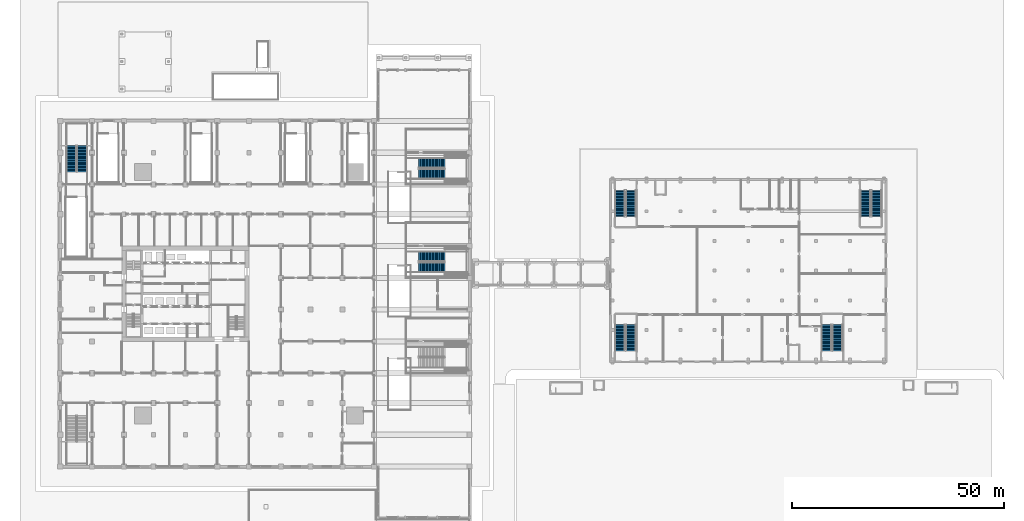
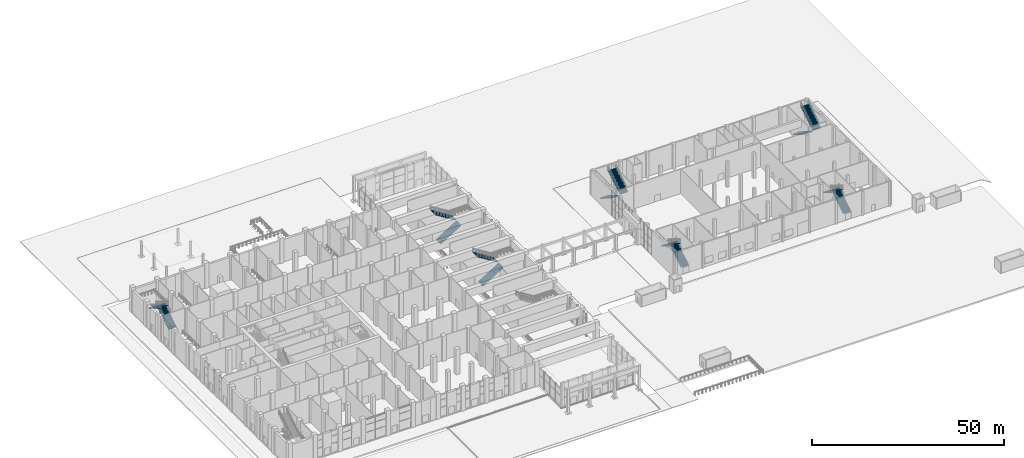
# One storey, part 39 of 57: 14 stair flights, 7 elements without a shape of their own.
"""IFC4 building model written with IfcOpenShell, lengths in metres."""

from ifc_helpers import new_model, si_unit, direction, frame, origin, place, context, subcontext, project, spatial, polyline, outline, extrude, material, type_object, element, aggregate, save


model = new_model("IFC4")

# Units and contexts
model_context = context("Model", 3, precision=1e-05, world=origin(), true_north=direction((0.0, 1.0)))
body_context = subcontext(model_context, "Body", "Model", "MODEL_VIEW")
ifc_project = project(units=[si_unit("LENGTHUNIT", "METRE"), si_unit("AREAUNIT", "SQUARE_METRE"), si_unit("VOLUMEUNIT", "CUBIC_METRE"), si_unit("PLANEANGLEUNIT", "RADIAN"), si_unit("MASSUNIT", "GRAM", prefix="KILO")], contexts=[model_context])

# Site, building, storey
site_placement = place(None, origin())
site = spatial("IfcSite", under=ifc_project, at=site_placement, CompositionType="ELEMENT")
building_placement = place(site_placement, origin())
building = spatial("IfcBuilding", under=site, at=building_placement, Name="Tamorin Gate", CompositionType="ELEMENT")
storey_placement = place(building_placement, origin())
storey = spatial("IfcBuildingStorey", under=building, at=storey_placement, Name="L00", CompositionType="ELEMENT", Elevation=0.0)

# Stair, stair flights
ifc_material_1 = material(Name="Concrete C40/50", Category="concrete")
stair_type_1 = type_object("IfcStairType", Name="Museum exit stair 2400 C40/50", PredefinedType="HALF_TURN_STAIR", material=ifc_material_1)
stair_1_placement = place(storey_placement, origin())
stair_1 = element("IfcStair", 1, at=stair_1_placement, inside=storey, type_object=stair_type_1, Name="L00 PS6", PredefinedType="HALF_TURN_STAIR")
stair_flight_type_1 = type_object("IfcStairFlightType", Name="Museum exit stair flight 2400 C40/50", PredefinedType="STRAIGHT", material=ifc_material_1)
stair_flight_1_placement = place(storey_placement, frame((147.5, 95.60009765625, 0.0), z_axis=(0.0, 0.0, 1.0), x_axis=(0.0, -1.0, 0.0)))
stair_flight_1 = element("IfcStairFlight", 2, at=stair_flight_1_placement, type_object=stair_flight_type_1, Name="PS6 flight 1", NumberOfRisers=23, NumberOfTreads=22, PredefinedType="STRAIGHT", RiserHeight=0.173913043, TreadLength=0.28, context=body_context, shape_type="SweptSolid", body=[
    extrude(outline(polyline([(-0.00048828125, 0.0), (-0.00048828125, 0.173828125), (0.280029296875, 0.173828125), (0.280029296875, 0.347900390625), (0.56005859375, 0.347900390625), (0.56005859375, 0.521728515625), (0.840087890625, 0.521728515625), (0.840087890625, 0.695556640625), (1.1201171875, 0.695556640625), (1.1201171875, 0.86962890625), (1.39990234375, 0.86962890625), (1.39990234375, 1.04345703125), (1.679931640625, 1.04345703125), (1.679931640625, 1.21728515625), (1.9599609375, 1.21728515625), (1.9599609375, 1.391357421875), (2.239990234375, 1.391357421875), (2.239990234375, 1.565185546875), (2.52001953125, 1.565185546875), (2.52001953125, 1.739013671875), (2.800048828125, 1.739013671875), (2.800048828125, 1.9130859375), (3.080078125, 1.9130859375), (3.080078125, 2.0869140625), (3.360107421875, 2.0869140625), (3.360107421875, 2.260986328125), (3.639892578125, 2.260986328125), (3.639892578125, 2.434814453125), (3.919921875, 2.434814453125), (3.919921875, 2.608642578125), (4.199951171875, 2.608642578125), (4.199951171875, 2.78271484375), (4.47998046875, 2.78271484375), (4.47998046875, 2.95654296875), (4.760009765625, 2.95654296875), (4.760009765625, 3.13037109375), (5.0400390625, 3.13037109375), (5.0400390625, 3.304443359375), (5.320068359375, 3.304443359375), (5.320068359375, 3.478271484375), (5.60009765625, 3.478271484375), (5.60009765625, 3.652099609375), (5.8798828125, 3.652099609375), (5.8798828125, 3.826171875), (6.159912109375, 3.826171875), (6.159912109375, 4.0), (6.160400390625, 4.0), (6.160400390625, 3.649658203125), (6.159912109375, 3.649658203125), (0.2841796875, 0.0), (-0.00048828125, 0.0)])), frame((0.0, 1.199951171875, 0.0), z_axis=(0.0, -1.0, 0.0), x_axis=(1.0, 0.0, 0.0)), (0.0, 0.0, 1.0), 2.39990234375),
])
stair_flight_2_placement = place(storey_placement, frame((150.050048828125, 89.43994140625, 4.0), z_axis=(0.0, 0.0, 1.0), x_axis=(0.0, 1.0, 0.0)))
stair_flight_2 = element("IfcStairFlight", 3, at=stair_flight_2_placement, type_object=stair_flight_type_1, Name="PS6 flight 2", NumberOfRisers=23, NumberOfTreads=22, PredefinedType="STRAIGHT", RiserHeight=0.173913043, TreadLength=0.28, context=body_context, shape_type="SweptSolid", body=[
    extrude(outline(polyline([(-0.00048828125, 0.0), (-0.00048828125, 0.173828125), (0.280029296875, 0.173828125), (0.280029296875, 0.347900390625), (0.56005859375, 0.347900390625), (0.56005859375, 0.521728515625), (0.840087890625, 0.521728515625), (0.840087890625, 0.695556640625), (1.1201171875, 0.695556640625), (1.1201171875, 0.86962890625), (1.39990234375, 0.86962890625), (1.39990234375, 1.04345703125), (1.679931640625, 1.04345703125), (1.679931640625, 1.21728515625), (1.9599609375, 1.21728515625), (1.9599609375, 1.391357421875), (2.239990234375, 1.391357421875), (2.239990234375, 1.565185546875), (2.52001953125, 1.565185546875), (2.52001953125, 1.739013671875), (2.800048828125, 1.739013671875), (2.800048828125, 1.9130859375), (3.080078125, 1.9130859375), (3.080078125, 2.0869140625), (3.360107421875, 2.0869140625), (3.360107421875, 2.260986328125), (3.639892578125, 2.260986328125), (3.639892578125, 2.434814453125), (3.919921875, 2.434814453125), (3.919921875, 2.608642578125), (4.199951171875, 2.608642578125), (4.199951171875, 2.78271484375), (4.47998046875, 2.78271484375), (4.47998046875, 2.95654296875), (4.760009765625, 2.95654296875), (4.760009765625, 3.13037109375), (5.0400390625, 3.13037109375), (5.0400390625, 3.304443359375), (5.320068359375, 3.304443359375), (5.320068359375, 3.478271484375), (5.60009765625, 3.478271484375), (5.60009765625, 3.652099609375), (5.8798828125, 3.652099609375), (5.8798828125, 3.826171875), (6.159912109375, 3.826171875), (6.159912109375, 4.0), (6.160400390625, 4.0), (6.160400390625, 3.649658203125), (6.159912109375, 3.649658203125), (0.2841796875, 0.0), (-0.00048828125, 0.0)])), frame((0.0, 1.199951171875, 0.0), z_axis=(0.0, -1.0, 0.0), x_axis=(1.0, 0.0, 0.0)), (0.0, 0.0, 1.0), 2.39990234375),
])
aggregate(stair_1, [stair_flight_1, stair_flight_2])

stair_2_placement = place(storey_placement, origin())
stair_2 = element("IfcStair", 4, at=stair_2_placement, inside=storey, type_object=stair_type_1, Name="L00 PS7", PredefinedType="HALF_TURN_STAIR")
stair_flight_3_placement = place(storey_placement, frame((198.75, 57.800048828125, 0.0), z_axis=(0.0, 0.0, 1.0), x_axis=(0.0, 1.0, 0.0)))
stair_flight_3 = element("IfcStairFlight", 5, at=stair_flight_3_placement, type_object=stair_flight_type_1, Name="PS7 flight 1", NumberOfRisers=23, NumberOfTreads=22, PredefinedType="STRAIGHT", RiserHeight=0.173913043, TreadLength=0.28, context=body_context, shape_type="SweptSolid", body=[
    extrude(outline(polyline([(-0.00048828125, 0.0), (-0.00048828125, 0.173828125), (0.280029296875, 0.173828125), (0.280029296875, 0.347900390625), (0.56005859375, 0.347900390625), (0.56005859375, 0.521728515625), (0.840087890625, 0.521728515625), (0.840087890625, 0.695556640625), (1.1201171875, 0.695556640625), (1.1201171875, 0.86962890625), (1.39990234375, 0.86962890625), (1.39990234375, 1.04345703125), (1.679931640625, 1.04345703125), (1.679931640625, 1.21728515625), (1.9599609375, 1.21728515625), (1.9599609375, 1.391357421875), (2.239990234375, 1.391357421875), (2.239990234375, 1.565185546875), (2.52001953125, 1.565185546875), (2.52001953125, 1.739013671875), (2.800048828125, 1.739013671875), (2.800048828125, 1.9130859375), (3.080078125, 1.9130859375), (3.080078125, 2.0869140625), (3.360107421875, 2.0869140625), (3.360107421875, 2.260986328125), (3.639892578125, 2.260986328125), (3.639892578125, 2.434814453125), (3.919921875, 2.434814453125), (3.919921875, 2.608642578125), (4.199951171875, 2.608642578125), (4.199951171875, 2.78271484375), (4.47998046875, 2.78271484375), (4.47998046875, 2.95654296875), (4.760009765625, 2.95654296875), (4.760009765625, 3.13037109375), (5.0400390625, 3.13037109375), (5.0400390625, 3.304443359375), (5.320068359375, 3.304443359375), (5.320068359375, 3.478271484375), (5.60009765625, 3.478271484375), (5.60009765625, 3.652099609375), (5.8798828125, 3.652099609375), (5.8798828125, 3.826171875), (6.159912109375, 3.826171875), (6.159912109375, 4.0), (6.160400390625, 4.0), (6.160400390625, 3.649658203125), (6.159912109375, 3.649658203125), (0.2841796875, 0.0), (-0.00048828125, 0.0)])), frame((0.0, 1.199951171875, 0.0), z_axis=(0.0, -1.0, 0.0), x_axis=(1.0, 0.0, 0.0)), (0.0, 0.0, 1.0), 2.39990234375),
])
stair_flight_4_placement = place(storey_placement, frame((196.199951171875, 63.9599609375, 4.0), z_axis=(0.0, 0.0, 1.0), x_axis=(0.0, -1.0, 0.0)))
stair_flight_4 = element("IfcStairFlight", 6, at=stair_flight_4_placement, type_object=stair_flight_type_1, Name="PS7 flight 2", NumberOfRisers=23, NumberOfTreads=22, PredefinedType="STRAIGHT", RiserHeight=0.173913043, TreadLength=0.28, context=body_context, shape_type="SweptSolid", body=[
    extrude(outline(polyline([(-0.00048828125, 0.0), (-0.00048828125, 0.173828125), (0.280029296875, 0.173828125), (0.280029296875, 0.347900390625), (0.56005859375, 0.347900390625), (0.56005859375, 0.521728515625), (0.840087890625, 0.521728515625), (0.840087890625, 0.695556640625), (1.1201171875, 0.695556640625), (1.1201171875, 0.86962890625), (1.39990234375, 0.86962890625), (1.39990234375, 1.04345703125), (1.679931640625, 1.04345703125), (1.679931640625, 1.21728515625), (1.9599609375, 1.21728515625), (1.9599609375, 1.391357421875), (2.239990234375, 1.391357421875), (2.239990234375, 1.565185546875), (2.52001953125, 1.565185546875), (2.52001953125, 1.739013671875), (2.800048828125, 1.739013671875), (2.800048828125, 1.9130859375), (3.080078125, 1.9130859375), (3.080078125, 2.0869140625), (3.360107421875, 2.0869140625), (3.360107421875, 2.260986328125), (3.639892578125, 2.260986328125), (3.639892578125, 2.434814453125), (3.919921875, 2.434814453125), (3.919921875, 2.608642578125), (4.199951171875, 2.608642578125), (4.199951171875, 2.78271484375), (4.47998046875, 2.78271484375), (4.47998046875, 2.95654296875), (4.760009765625, 2.95654296875), (4.760009765625, 3.13037109375), (5.0400390625, 3.13037109375), (5.0400390625, 3.304443359375), (5.320068359375, 3.304443359375), (5.320068359375, 3.478271484375), (5.60009765625, 3.478271484375), (5.60009765625, 3.652099609375), (5.8798828125, 3.652099609375), (5.8798828125, 3.826171875), (6.159912109375, 3.826171875), (6.159912109375, 4.0), (6.160400390625, 4.0), (6.160400390625, 3.649658203125), (6.159912109375, 3.649658203125), (0.2841796875, 0.0), (-0.00048828125, 0.0)])), frame((0.0, 1.199951171875, 0.0), z_axis=(0.0, -1.0, 0.0), x_axis=(1.0, 0.0, 0.0)), (0.0, 0.0, 1.0), 2.39990234375),
])
aggregate(stair_2, [stair_flight_3, stair_flight_4])

stair_3_placement = place(storey_placement, origin())
stair_3 = element("IfcStair", 7, at=stair_3_placement, inside=storey, type_object=stair_type_1, Name="L00 PS8", PredefinedType="HALF_TURN_STAIR")
stair_flight_5_placement = place(storey_placement, frame((150.050048828125, 57.800048828125, 0.0), z_axis=(0.0, 0.0, 1.0), x_axis=(0.0, 1.0, 0.0)))
stair_flight_5 = element("IfcStairFlight", 8, at=stair_flight_5_placement, type_object=stair_flight_type_1, Name="PS8 flight 1", NumberOfRisers=23, NumberOfTreads=22, PredefinedType="STRAIGHT", RiserHeight=0.173913043, TreadLength=0.28, context=body_context, shape_type="SweptSolid", body=[
    extrude(outline(polyline([(-0.00048828125, 0.0), (-0.00048828125, 0.173828125), (0.280029296875, 0.173828125), (0.280029296875, 0.347900390625), (0.56005859375, 0.347900390625), (0.56005859375, 0.521728515625), (0.840087890625, 0.521728515625), (0.840087890625, 0.695556640625), (1.1201171875, 0.695556640625), (1.1201171875, 0.86962890625), (1.39990234375, 0.86962890625), (1.39990234375, 1.04345703125), (1.679931640625, 1.04345703125), (1.679931640625, 1.21728515625), (1.9599609375, 1.21728515625), (1.9599609375, 1.391357421875), (2.239990234375, 1.391357421875), (2.239990234375, 1.565185546875), (2.52001953125, 1.565185546875), (2.52001953125, 1.739013671875), (2.800048828125, 1.739013671875), (2.800048828125, 1.9130859375), (3.080078125, 1.9130859375), (3.080078125, 2.0869140625), (3.360107421875, 2.0869140625), (3.360107421875, 2.260986328125), (3.639892578125, 2.260986328125), (3.639892578125, 2.434814453125), (3.919921875, 2.434814453125), (3.919921875, 2.608642578125), (4.199951171875, 2.608642578125), (4.199951171875, 2.78271484375), (4.47998046875, 2.78271484375), (4.47998046875, 2.95654296875), (4.760009765625, 2.95654296875), (4.760009765625, 3.13037109375), (5.0400390625, 3.13037109375), (5.0400390625, 3.304443359375), (5.320068359375, 3.304443359375), (5.320068359375, 3.478271484375), (5.60009765625, 3.478271484375), (5.60009765625, 3.652099609375), (5.8798828125, 3.652099609375), (5.8798828125, 3.826171875), (6.159912109375, 3.826171875), (6.159912109375, 4.0), (6.160400390625, 4.0), (6.160400390625, 3.649658203125), (6.159912109375, 3.649658203125), (0.2841796875, 0.0), (-0.00048828125, 0.0)])), frame((0.0, 1.199951171875, 0.0), z_axis=(0.0, -1.0, 0.0), x_axis=(1.0, 0.0, 0.0)), (0.0, 0.0, 1.0), 2.39990234375),
])
stair_flight_6_placement = place(storey_placement, frame((147.5, 63.9599609375, 4.0), z_axis=(0.0, 0.0, 1.0), x_axis=(0.0, -1.0, 0.0)))
stair_flight_6 = element("IfcStairFlight", 9, at=stair_flight_6_placement, type_object=stair_flight_type_1, Name="PS8 flight 2", NumberOfRisers=23, NumberOfTreads=22, PredefinedType="STRAIGHT", RiserHeight=0.173913043, TreadLength=0.28, context=body_context, shape_type="SweptSolid", body=[
    extrude(outline(polyline([(-0.00048828125, 0.0), (-0.00048828125, 0.173828125), (0.280029296875, 0.173828125), (0.280029296875, 0.347900390625), (0.56005859375, 0.347900390625), (0.56005859375, 0.521728515625), (0.840087890625, 0.521728515625), (0.840087890625, 0.695556640625), (1.1201171875, 0.695556640625), (1.1201171875, 0.86962890625), (1.39990234375, 0.86962890625), (1.39990234375, 1.04345703125), (1.679931640625, 1.04345703125), (1.679931640625, 1.21728515625), (1.9599609375, 1.21728515625), (1.9599609375, 1.391357421875), (2.239990234375, 1.391357421875), (2.239990234375, 1.565185546875), (2.52001953125, 1.565185546875), (2.52001953125, 1.739013671875), (2.800048828125, 1.739013671875), (2.800048828125, 1.9130859375), (3.080078125, 1.9130859375), (3.080078125, 2.0869140625), (3.360107421875, 2.0869140625), (3.360107421875, 2.260986328125), (3.639892578125, 2.260986328125), (3.639892578125, 2.434814453125), (3.919921875, 2.434814453125), (3.919921875, 2.608642578125), (4.199951171875, 2.608642578125), (4.199951171875, 2.78271484375), (4.47998046875, 2.78271484375), (4.47998046875, 2.95654296875), (4.760009765625, 2.95654296875), (4.760009765625, 3.13037109375), (5.0400390625, 3.13037109375), (5.0400390625, 3.304443359375), (5.320068359375, 3.304443359375), (5.320068359375, 3.478271484375), (5.60009765625, 3.478271484375), (5.60009765625, 3.652099609375), (5.8798828125, 3.652099609375), (5.8798828125, 3.826171875), (6.159912109375, 3.826171875), (6.159912109375, 4.0), (6.160400390625, 4.0), (6.160400390625, 3.649658203125), (6.159912109375, 3.649658203125), (0.2841796875, 0.0), (-0.00048828125, 0.0)])), frame((0.0, 1.199951171875, 0.0), z_axis=(0.0, -1.0, 0.0), x_axis=(1.0, 0.0, 0.0)), (0.0, 0.0, 1.0), 2.39990234375),
])
aggregate(stair_3, [stair_flight_5, stair_flight_6])

stair_4_placement = place(storey_placement, origin())
stair_4 = element("IfcStair", 10, at=stair_4_placement, inside=storey, type_object=stair_type_1, Name="L00 PS9", PredefinedType="HALF_TURN_STAIR")
stair_flight_7_placement = place(storey_placement, frame((205.35009765625, 95.60009765625, 0.0), z_axis=(0.0, 0.0, 1.0), x_axis=(0.0, -1.0, 0.0)))
stair_flight_7 = element("IfcStairFlight", 11, at=stair_flight_7_placement, type_object=stair_flight_type_1, Name="PS9 flight 1", NumberOfRisers=23, NumberOfTreads=22, PredefinedType="STRAIGHT", RiserHeight=0.173913043, TreadLength=0.28, context=body_context, shape_type="SweptSolid", body=[
    extrude(outline(polyline([(-0.00048828125, 0.0), (-0.00048828125, 0.173828125), (0.280029296875, 0.173828125), (0.280029296875, 0.347900390625), (0.56005859375, 0.347900390625), (0.56005859375, 0.521728515625), (0.840087890625, 0.521728515625), (0.840087890625, 0.695556640625), (1.1201171875, 0.695556640625), (1.1201171875, 0.86962890625), (1.39990234375, 0.86962890625), (1.39990234375, 1.04345703125), (1.679931640625, 1.04345703125), (1.679931640625, 1.21728515625), (1.9599609375, 1.21728515625), (1.9599609375, 1.391357421875), (2.239990234375, 1.391357421875), (2.239990234375, 1.565185546875), (2.52001953125, 1.565185546875), (2.52001953125, 1.739013671875), (2.800048828125, 1.739013671875), (2.800048828125, 1.9130859375), (3.080078125, 1.9130859375), (3.080078125, 2.0869140625), (3.360107421875, 2.0869140625), (3.360107421875, 2.260986328125), (3.639892578125, 2.260986328125), (3.639892578125, 2.434814453125), (3.919921875, 2.434814453125), (3.919921875, 2.608642578125), (4.199951171875, 2.608642578125), (4.199951171875, 2.78271484375), (4.47998046875, 2.78271484375), (4.47998046875, 2.95654296875), (4.760009765625, 2.95654296875), (4.760009765625, 3.13037109375), (5.0400390625, 3.13037109375), (5.0400390625, 3.304443359375), (5.320068359375, 3.304443359375), (5.320068359375, 3.478271484375), (5.60009765625, 3.478271484375), (5.60009765625, 3.652099609375), (5.8798828125, 3.652099609375), (5.8798828125, 3.826171875), (6.159912109375, 3.826171875), (6.159912109375, 4.0), (6.160400390625, 4.0), (6.160400390625, 3.649658203125), (6.159912109375, 3.649658203125), (0.2841796875, 0.0), (-0.00048828125, 0.0)])), frame((0.0, 1.199951171875, 0.0), z_axis=(0.0, -1.0, 0.0), x_axis=(1.0, 0.0, 0.0)), (0.0, 0.0, 1.0), 2.39990234375),
])
stair_flight_8_placement = place(storey_placement, frame((207.89990234375, 89.43994140625, 4.0), z_axis=(0.0, 0.0, 1.0), x_axis=(0.0, 1.0, 0.0)))
stair_flight_8 = element("IfcStairFlight", 12, at=stair_flight_8_placement, type_object=stair_flight_type_1, Name="PS9 flight 2", NumberOfRisers=23, NumberOfTreads=22, PredefinedType="STRAIGHT", RiserHeight=0.173913043, TreadLength=0.28, context=body_context, shape_type="SweptSolid", body=[
    extrude(outline(polyline([(-0.00048828125, 0.0), (-0.00048828125, 0.173828125), (0.280029296875, 0.173828125), (0.280029296875, 0.347900390625), (0.56005859375, 0.347900390625), (0.56005859375, 0.521728515625), (0.840087890625, 0.521728515625), (0.840087890625, 0.695556640625), (1.1201171875, 0.695556640625), (1.1201171875, 0.86962890625), (1.39990234375, 0.86962890625), (1.39990234375, 1.04345703125), (1.679931640625, 1.04345703125), (1.679931640625, 1.21728515625), (1.9599609375, 1.21728515625), (1.9599609375, 1.391357421875), (2.239990234375, 1.391357421875), (2.239990234375, 1.565185546875), (2.52001953125, 1.565185546875), (2.52001953125, 1.739013671875), (2.800048828125, 1.739013671875), (2.800048828125, 1.9130859375), (3.080078125, 1.9130859375), (3.080078125, 2.0869140625), (3.360107421875, 2.0869140625), (3.360107421875, 2.260986328125), (3.639892578125, 2.260986328125), (3.639892578125, 2.434814453125), (3.919921875, 2.434814453125), (3.919921875, 2.608642578125), (4.199951171875, 2.608642578125), (4.199951171875, 2.78271484375), (4.47998046875, 2.78271484375), (4.47998046875, 2.95654296875), (4.760009765625, 2.95654296875), (4.760009765625, 3.13037109375), (5.0400390625, 3.13037109375), (5.0400390625, 3.304443359375), (5.320068359375, 3.304443359375), (5.320068359375, 3.478271484375), (5.60009765625, 3.478271484375), (5.60009765625, 3.652099609375), (5.8798828125, 3.652099609375), (5.8798828125, 3.826171875), (6.159912109375, 3.826171875), (6.159912109375, 4.0), (6.160400390625, 4.0), (6.160400390625, 3.649658203125), (6.159912109375, 3.649658203125), (0.2841796875, 0.0), (-0.00048828125, 0.0)])), frame((0.0, 1.199951171875, 0.0), z_axis=(0.0, -1.0, 0.0), x_axis=(1.0, 0.0, 0.0)), (0.0, 0.0, 1.0), 2.39990234375),
])
aggregate(stair_4, [stair_flight_7, stair_flight_8])

ifc_material_2 = material(Name="Reinforced concrete C32/40", Category="concrete")
stair_type_2 = type_object("IfcStairType", Name="Podium stair PS", PredefinedType="HALF_TURN_STAIR", material=ifc_material_2)
stair_5_placement = place(storey_placement, origin())
stair_5 = element("IfcStair", 13, at=stair_5_placement, inside=storey, type_object=stair_type_2, Name="L00 Podium stair PS2", PredefinedType="HALF_TURN_STAIR")
stair_flight_type_2 = type_object("IfcStairFlightType", Name="Stair flight 2400", PredefinedType="STRAIGHT", material=ifc_material_2)
stair_flight_9_placement = place(storey_placement, frame((20.675048828125, 100.0, 0.0), z_axis=(0.0, 0.0, 1.0), x_axis=(0.0, 1.0, 0.0)))
stair_flight_9 = element("IfcStairFlight", 14, at=stair_flight_9_placement, type_object=stair_flight_type_2, Name="PS2 flight 1", NumberOfRisers=23, NumberOfTreads=22, PredefinedType="STRAIGHT", RiserHeight=0.173913043, TreadLength=0.28, context=body_context, shape_type="SweptSolid", body=[
    extrude(outline(polyline([(-0.00048828125, 0.0), (-0.00048828125, 0.173828125), (0.280029296875, 0.173828125), (0.280029296875, 0.347900390625), (0.56005859375, 0.347900390625), (0.56005859375, 0.521728515625), (0.840087890625, 0.521728515625), (0.840087890625, 0.695556640625), (1.1201171875, 0.695556640625), (1.1201171875, 0.86962890625), (1.39990234375, 0.86962890625), (1.39990234375, 1.04345703125), (1.679931640625, 1.04345703125), (1.679931640625, 1.21728515625), (1.9599609375, 1.21728515625), (1.9599609375, 1.391357421875), (2.239990234375, 1.391357421875), (2.239990234375, 1.565185546875), (2.52001953125, 1.565185546875), (2.52001953125, 1.739013671875), (2.800048828125, 1.739013671875), (2.800048828125, 1.9130859375), (3.080078125, 1.9130859375), (3.080078125, 2.0869140625), (3.360107421875, 2.0869140625), (3.360107421875, 2.260986328125), (3.639892578125, 2.260986328125), (3.639892578125, 2.434814453125), (3.919921875, 2.434814453125), (3.919921875, 2.608642578125), (4.199951171875, 2.608642578125), (4.199951171875, 2.78271484375), (4.47998046875, 2.78271484375), (4.47998046875, 2.95654296875), (4.760009765625, 2.95654296875), (4.760009765625, 3.13037109375), (5.0400390625, 3.13037109375), (5.0400390625, 3.304443359375), (5.320068359375, 3.304443359375), (5.320068359375, 3.478271484375), (5.60009765625, 3.478271484375), (5.60009765625, 3.652099609375), (5.8798828125, 3.652099609375), (5.8798828125, 3.826171875), (6.159912109375, 3.826171875), (6.159912109375, 4.0), (6.160400390625, 4.0), (6.160400390625, 3.649658203125), (6.159912109375, 3.649658203125), (0.2841796875, 0.0), (-0.00048828125, 0.0)])), frame((0.0, 1.199951171875, 0.0), z_axis=(0.0, -1.0, 0.0), x_axis=(1.0, 0.0, 0.0)), (0.0, 0.0, 1.0), 2.39990234375),
])
stair_flight_10_placement = place(storey_placement, frame((18.125, 106.159912109375, 4.0), z_axis=(0.0, 0.0, 1.0), x_axis=(0.0, -1.0, 0.0)))
stair_flight_10 = element("IfcStairFlight", 15, at=stair_flight_10_placement, type_object=stair_flight_type_2, Name="PS2 flight 2", NumberOfRisers=23, NumberOfTreads=22, PredefinedType="STRAIGHT", RiserHeight=0.173913043, TreadLength=0.28, context=body_context, shape_type="SweptSolid", body=[
    extrude(outline(polyline([(-0.00048828125, 0.0), (-0.00048828125, 0.173828125), (0.280029296875, 0.173828125), (0.280029296875, 0.347900390625), (0.56005859375, 0.347900390625), (0.56005859375, 0.521728515625), (0.840087890625, 0.521728515625), (0.840087890625, 0.695556640625), (1.1201171875, 0.695556640625), (1.1201171875, 0.86962890625), (1.39990234375, 0.86962890625), (1.39990234375, 1.04345703125), (1.679931640625, 1.04345703125), (1.679931640625, 1.21728515625), (1.9599609375, 1.21728515625), (1.9599609375, 1.391357421875), (2.239990234375, 1.391357421875), (2.239990234375, 1.565185546875), (2.52001953125, 1.565185546875), (2.52001953125, 1.739013671875), (2.800048828125, 1.739013671875), (2.800048828125, 1.9130859375), (3.080078125, 1.9130859375), (3.080078125, 2.0869140625), (3.360107421875, 2.0869140625), (3.360107421875, 2.260986328125), (3.639892578125, 2.260986328125), (3.639892578125, 2.434814453125), (3.919921875, 2.434814453125), (3.919921875, 2.608642578125), (4.199951171875, 2.608642578125), (4.199951171875, 2.78271484375), (4.47998046875, 2.78271484375), (4.47998046875, 2.95654296875), (4.760009765625, 2.95654296875), (4.760009765625, 3.13037109375), (5.0400390625, 3.13037109375), (5.0400390625, 3.304443359375), (5.320068359375, 3.304443359375), (5.320068359375, 3.478271484375), (5.60009765625, 3.478271484375), (5.60009765625, 3.652099609375), (5.8798828125, 3.652099609375), (5.8798828125, 3.826171875), (6.159912109375, 3.826171875), (6.159912109375, 4.0), (6.160400390625, 4.0), (6.160400390625, 3.649658203125), (6.159912109375, 3.649658203125), (0.2841796875, 0.0), (-0.00048828125, 0.0)])), frame((0.0, 1.199951171875, 0.0), z_axis=(0.0, -1.0, 0.0), x_axis=(1.0, 0.0, 0.0)), (0.0, 0.0, 1.0), 2.39990234375),
])
aggregate(stair_5, [stair_flight_9, stair_flight_10])

stair_6_placement = place(storey_placement, origin())
stair_6 = element("IfcStair", 16, at=stair_6_placement, inside=storey, type_object=stair_type_2, Name="L00 Podium stair PS4", PredefinedType="HALF_TURN_STAIR")
stair_flight_11_placement = place(storey_placement, frame((100.0, 99.47509765625, 0.0), z_axis=(0.0, 0.0, 1.0), x_axis=(1.0, 0.0, 0.0)))
stair_flight_11 = element("IfcStairFlight", 17, at=stair_flight_11_placement, type_object=stair_flight_type_2, Name="PS4 flight 1", NumberOfRisers=23, NumberOfTreads=22, PredefinedType="STRAIGHT", RiserHeight=0.173913043, TreadLength=0.28, context=body_context, shape_type="SweptSolid", body=[
    extrude(outline(polyline([(-0.00048828125, 0.0), (-0.00048828125, 0.173828125), (0.280029296875, 0.173828125), (0.280029296875, 0.347900390625), (0.56005859375, 0.347900390625), (0.56005859375, 0.521728515625), (0.840087890625, 0.521728515625), (0.840087890625, 0.695556640625), (1.1201171875, 0.695556640625), (1.1201171875, 0.86962890625), (1.39990234375, 0.86962890625), (1.39990234375, 1.04345703125), (1.679931640625, 1.04345703125), (1.679931640625, 1.21728515625), (1.9599609375, 1.21728515625), (1.9599609375, 1.391357421875), (2.239990234375, 1.391357421875), (2.239990234375, 1.565185546875), (2.52001953125, 1.565185546875), (2.52001953125, 1.739013671875), (2.800048828125, 1.739013671875), (2.800048828125, 1.9130859375), (3.080078125, 1.9130859375), (3.080078125, 2.0869140625), (3.360107421875, 2.0869140625), (3.360107421875, 2.260986328125), (3.639892578125, 2.260986328125), (3.639892578125, 2.434814453125), (3.919921875, 2.434814453125), (3.919921875, 2.608642578125), (4.199951171875, 2.608642578125), (4.199951171875, 2.78271484375), (4.47998046875, 2.78271484375), (4.47998046875, 2.95654296875), (4.760009765625, 2.95654296875), (4.760009765625, 3.13037109375), (5.0400390625, 3.13037109375), (5.0400390625, 3.304443359375), (5.320068359375, 3.304443359375), (5.320068359375, 3.478271484375), (5.60009765625, 3.478271484375), (5.60009765625, 3.652099609375), (5.8798828125, 3.652099609375), (5.8798828125, 3.826171875), (6.159912109375, 3.826171875), (6.159912109375, 4.0), (6.160400390625, 4.0), (6.160400390625, 3.649658203125), (6.159912109375, 3.649658203125), (0.2841796875, 0.0), (-0.00048828125, 0.0)])), frame((0.0, 1.199951171875, 0.0), z_axis=(0.0, -1.0, 0.0), x_axis=(1.0, 0.0, 0.0)), (0.0, 0.0, 1.0), 2.39990234375),
])
stair_flight_12_placement = place(storey_placement, frame((106.159912109375, 102.02490234375, 4.0), z_axis=(0.0, 0.0, 1.0), x_axis=(-1.0, 0.0, 0.0)))
stair_flight_12 = element("IfcStairFlight", 18, at=stair_flight_12_placement, type_object=stair_flight_type_2, Name="PS4 flight 2", NumberOfRisers=23, NumberOfTreads=22, PredefinedType="STRAIGHT", RiserHeight=0.173913043, TreadLength=0.28, context=body_context, shape_type="SweptSolid", body=[
    extrude(outline(polyline([(-0.00048828125, 0.0), (-0.00048828125, 0.173828125), (0.280029296875, 0.173828125), (0.280029296875, 0.347900390625), (0.56005859375, 0.347900390625), (0.56005859375, 0.521728515625), (0.840087890625, 0.521728515625), (0.840087890625, 0.695556640625), (1.1201171875, 0.695556640625), (1.1201171875, 0.86962890625), (1.39990234375, 0.86962890625), (1.39990234375, 1.04345703125), (1.679931640625, 1.04345703125), (1.679931640625, 1.21728515625), (1.9599609375, 1.21728515625), (1.9599609375, 1.391357421875), (2.239990234375, 1.391357421875), (2.239990234375, 1.565185546875), (2.52001953125, 1.565185546875), (2.52001953125, 1.739013671875), (2.800048828125, 1.739013671875), (2.800048828125, 1.9130859375), (3.080078125, 1.9130859375), (3.080078125, 2.0869140625), (3.360107421875, 2.0869140625), (3.360107421875, 2.260986328125), (3.639892578125, 2.260986328125), (3.639892578125, 2.434814453125), (3.919921875, 2.434814453125), (3.919921875, 2.608642578125), (4.199951171875, 2.608642578125), (4.199951171875, 2.78271484375), (4.47998046875, 2.78271484375), (4.47998046875, 2.95654296875), (4.760009765625, 2.95654296875), (4.760009765625, 3.13037109375), (5.0400390625, 3.13037109375), (5.0400390625, 3.304443359375), (5.320068359375, 3.304443359375), (5.320068359375, 3.478271484375), (5.60009765625, 3.478271484375), (5.60009765625, 3.652099609375), (5.8798828125, 3.652099609375), (5.8798828125, 3.826171875), (6.159912109375, 3.826171875), (6.159912109375, 4.0), (6.160400390625, 4.0), (6.160400390625, 3.649658203125), (6.159912109375, 3.649658203125), (0.2841796875, 0.0), (-0.00048828125, 0.0)])), frame((0.0, 1.199951171875, 0.0), z_axis=(0.0, -1.0, 0.0), x_axis=(1.0, 0.0, 0.0)), (0.0, 0.0, 1.0), 2.39990234375),
])
aggregate(stair_6, [stair_flight_11, stair_flight_12])

stair_7_placement = place(storey_placement, origin())
stair_7 = element("IfcStair", 19, at=stair_7_placement, inside=storey, type_object=stair_type_2, Name="L00 Podium stair PS5", PredefinedType="HALF_TURN_STAIR")
stair_flight_13_placement = place(storey_placement, frame((100.0, 77.47509765625, 0.0), z_axis=(0.0, 0.0, 1.0), x_axis=(1.0, 0.0, 0.0)))
stair_flight_13 = element("IfcStairFlight", 20, at=stair_flight_13_placement, type_object=stair_flight_type_2, Name="PS5 flight 1", NumberOfRisers=23, NumberOfTreads=22, PredefinedType="STRAIGHT", RiserHeight=0.173913043, TreadLength=0.28, context=body_context, shape_type="SweptSolid", body=[
    extrude(outline(polyline([(-0.00048828125, 0.0), (-0.00048828125, 0.173828125), (0.280029296875, 0.173828125), (0.280029296875, 0.347900390625), (0.56005859375, 0.347900390625), (0.56005859375, 0.521728515625), (0.840087890625, 0.521728515625), (0.840087890625, 0.695556640625), (1.1201171875, 0.695556640625), (1.1201171875, 0.86962890625), (1.39990234375, 0.86962890625), (1.39990234375, 1.04345703125), (1.679931640625, 1.04345703125), (1.679931640625, 1.21728515625), (1.9599609375, 1.21728515625), (1.9599609375, 1.391357421875), (2.239990234375, 1.391357421875), (2.239990234375, 1.565185546875), (2.52001953125, 1.565185546875), (2.52001953125, 1.739013671875), (2.800048828125, 1.739013671875), (2.800048828125, 1.9130859375), (3.080078125, 1.9130859375), (3.080078125, 2.0869140625), (3.360107421875, 2.0869140625), (3.360107421875, 2.260986328125), (3.639892578125, 2.260986328125), (3.639892578125, 2.434814453125), (3.919921875, 2.434814453125), (3.919921875, 2.608642578125), (4.199951171875, 2.608642578125), (4.199951171875, 2.78271484375), (4.47998046875, 2.78271484375), (4.47998046875, 2.95654296875), (4.760009765625, 2.95654296875), (4.760009765625, 3.13037109375), (5.0400390625, 3.13037109375), (5.0400390625, 3.304443359375), (5.320068359375, 3.304443359375), (5.320068359375, 3.478271484375), (5.60009765625, 3.478271484375), (5.60009765625, 3.652099609375), (5.8798828125, 3.652099609375), (5.8798828125, 3.826171875), (6.159912109375, 3.826171875), (6.159912109375, 4.0), (6.160400390625, 4.0), (6.160400390625, 3.649658203125), (6.159912109375, 3.649658203125), (0.2841796875, 0.0), (-0.00048828125, 0.0)])), frame((0.0, 1.199951171875, 0.0), z_axis=(0.0, -1.0, 0.0), x_axis=(1.0, 0.0, 0.0)), (0.0, 0.0, 1.0), 2.39990234375),
])
stair_flight_14_placement = place(storey_placement, frame((106.159912109375, 80.02490234375, 4.0), z_axis=(0.0, 0.0, 1.0), x_axis=(-1.0, 0.0, 0.0)))
stair_flight_14 = element("IfcStairFlight", 21, at=stair_flight_14_placement, type_object=stair_flight_type_2, Name="PS5 flight 2", NumberOfRisers=23, NumberOfTreads=22, PredefinedType="STRAIGHT", RiserHeight=0.173913043, TreadLength=0.28, context=body_context, shape_type="SweptSolid", body=[
    extrude(outline(polyline([(-0.00048828125, 0.0), (-0.00048828125, 0.173828125), (0.280029296875, 0.173828125), (0.280029296875, 0.347900390625), (0.56005859375, 0.347900390625), (0.56005859375, 0.521728515625), (0.840087890625, 0.521728515625), (0.840087890625, 0.695556640625), (1.1201171875, 0.695556640625), (1.1201171875, 0.86962890625), (1.39990234375, 0.86962890625), (1.39990234375, 1.04345703125), (1.679931640625, 1.04345703125), (1.679931640625, 1.21728515625), (1.9599609375, 1.21728515625), (1.9599609375, 1.391357421875), (2.239990234375, 1.391357421875), (2.239990234375, 1.565185546875), (2.52001953125, 1.565185546875), (2.52001953125, 1.739013671875), (2.800048828125, 1.739013671875), (2.800048828125, 1.9130859375), (3.080078125, 1.9130859375), (3.080078125, 2.0869140625), (3.360107421875, 2.0869140625), (3.360107421875, 2.260986328125), (3.639892578125, 2.260986328125), (3.639892578125, 2.434814453125), (3.919921875, 2.434814453125), (3.919921875, 2.608642578125), (4.199951171875, 2.608642578125), (4.199951171875, 2.78271484375), (4.47998046875, 2.78271484375), (4.47998046875, 2.95654296875), (4.760009765625, 2.95654296875), (4.760009765625, 3.13037109375), (5.0400390625, 3.13037109375), (5.0400390625, 3.304443359375), (5.320068359375, 3.304443359375), (5.320068359375, 3.478271484375), (5.60009765625, 3.478271484375), (5.60009765625, 3.652099609375), (5.8798828125, 3.652099609375), (5.8798828125, 3.826171875), (6.159912109375, 3.826171875), (6.159912109375, 4.0), (6.160400390625, 4.0), (6.160400390625, 3.649658203125), (6.159912109375, 3.649658203125), (0.2841796875, 0.0), (-0.00048828125, 0.0)])), frame((0.0, 1.199951171875, 0.0), z_axis=(0.0, -1.0, 0.0), x_axis=(1.0, 0.0, 0.0)), (0.0, 0.0, 1.0), 2.39990234375),
])
aggregate(stair_7, [stair_flight_13, stair_flight_14])

save(model, "model.ifc")
